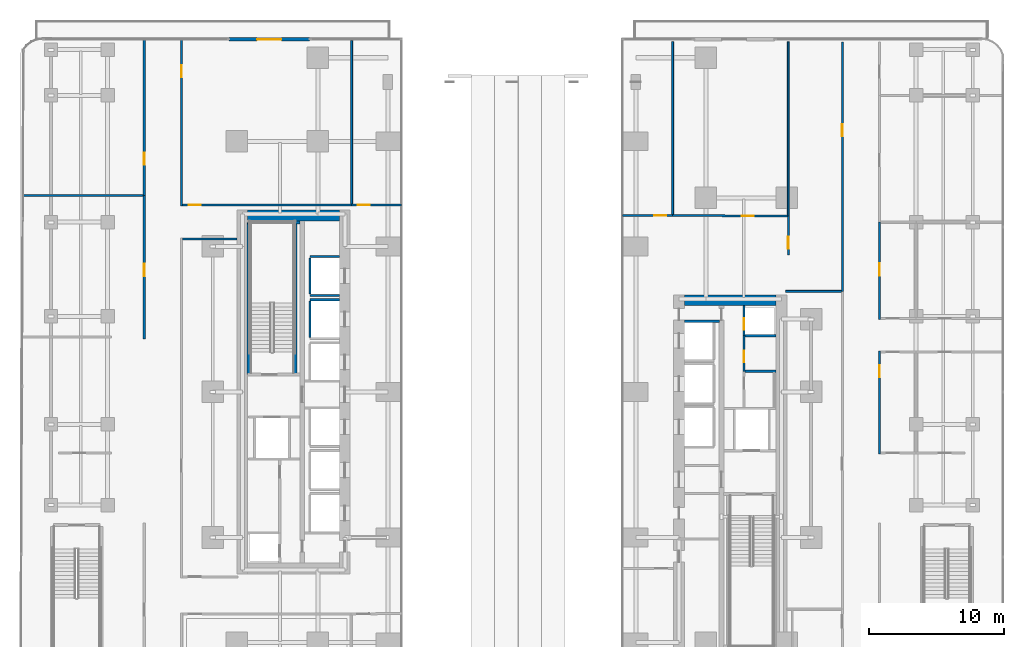
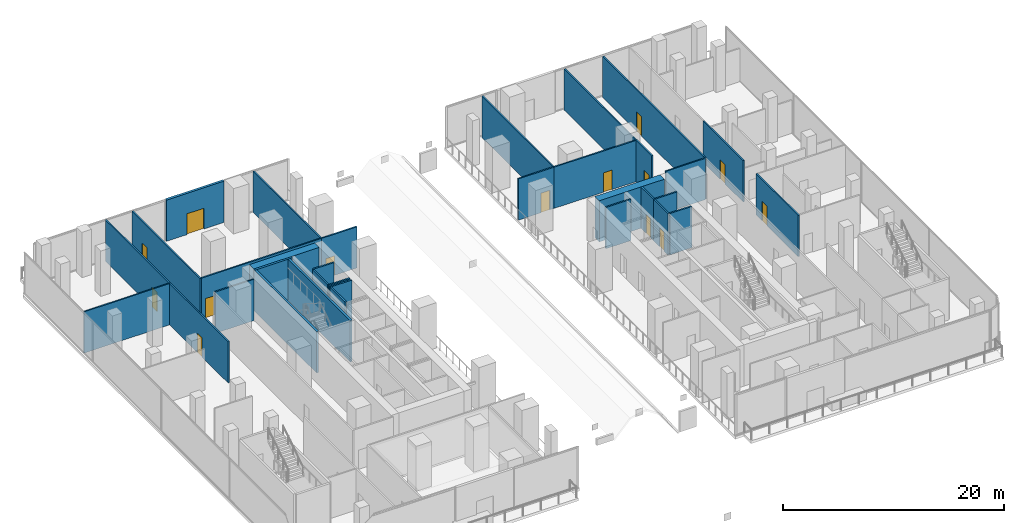
# One storey, part 13 of 32: 33 walls, 14 doors, 14 openings.
"""IFC4 building model written with IfcOpenShell, lengths in metres."""

from ifc_helpers import new_model, si_unit, direction, frame, frame_2d, origin, place, context, subcontext, project, spatial, rectangle, extrude, material, layer, layer_set, type_object, element, fill, save


model = new_model("IFC4")

# Units and contexts
model_context = context("Model", 3, precision=1e-05, world=origin(), true_north=direction((0.0, 1.0)))
body_context = subcontext(model_context, "Body", "Model", "MODEL_VIEW")
ifc_project = project(units=[si_unit("LENGTHUNIT", "METRE"), si_unit("AREAUNIT", "SQUARE_METRE"), si_unit("VOLUMEUNIT", "CUBIC_METRE"), si_unit("PLANEANGLEUNIT", "RADIAN"), si_unit("MASSUNIT", "GRAM", prefix="KILO")], contexts=[model_context])

# Site, building, storey
site_placement = place(None, origin())
site = spatial("IfcSite", under=ifc_project, at=site_placement, CompositionType="ELEMENT")
building_placement = place(site_placement, origin())
building = spatial("IfcBuilding", under=site, at=building_placement, Name="Khairoan Windgate Tower", CompositionType="ELEMENT")
storey_placement = place(building_placement, frame((0.0, 0.0, 16.0)))
storey = spatial("IfcBuildingStorey", under=building, at=storey_placement, Name="L04", CompositionType="ELEMENT", Elevation=16.0)

# Walls
ifc_material_1 = material(Name="Concrete C40/50", Category="concrete")
ifc_layer_1 = layer(ifc_material_1, 0.159912109375, Name="Concrete C40/50")
ifc_layer_set_1 = layer_set([ifc_layer_1], Name="Concrete C40/50")
wall_type_1 = type_object("IfcWallType", Name="Core and Hoistway Enclosure Wall", PredefinedType="STANDARD", material=ifc_layer_set_1)
for number, where, z_axis, x_axis, name in (
    (1, (-14.989990234375, 7.159912109375, 0.0), (0.0, 0.0, 1.0), (1.0, 0.0, 0.0), "L04 Lift PL1 Hoistway Divider S"),
    (2, (-14.989990234375, 10.0400390625, 0.0), (0.0, 0.0, 1.0), (1.0, 0.0, 0.0), "L04 Lift PL1 Hoistway Divider N"),
):
    element("IfcWall", number, at=place(storey_placement, frame(where, z_axis=z_axis, x_axis=x_axis)), inside=storey, type_object=wall_type_1, Name=name, PredefinedType="STANDARD", context=body_context, shape_type="SweptSolid", body=[
        extrude(rectangle(XDim=2.18994140625, YDim=0.159912109375, at=frame_2d((1.094970703125, 0.0))), origin(), (0.0, 0.0, 1.0), 4.550048828125),
    ])
wall_1_placement = place(storey_placement, frame((-14.989990234375, 7.25, 0.0), z_axis=(0.0, 0.0, 1.0), x_axis=(0.0, 1.0, 0.0)))
element("IfcWall", 3, at=wall_1_placement, inside=storey, type_object=wall_type_1, Name="L04 Lift PL1 Hoistway Back Wall", PredefinedType="STANDARD", context=body_context, shape_type="SweptSolid", body=[
    extrude(rectangle(XDim=2.699951171875, YDim=0.159912109375, at=frame_2d((1.35009765625, 0.0))), origin(), (0.0, 0.0, 1.0), 4.550048828125),
])
wall_2_placement = place(storey_placement, frame((-14.989990234375, 6.840087890625, 0.0), z_axis=(0.0, 0.0, 1.0), x_axis=(1.0, 0.0, 0.0)))
element("IfcWall", 4, at=wall_2_placement, inside=storey, type_object=wall_type_1, Name="L04 Lift PL2 Hoistway Divider N", PredefinedType="STANDARD", context=body_context, shape_type="SweptSolid", body=[
    extrude(rectangle(XDim=2.18994140625, YDim=0.159912109375, at=frame_2d((1.094970703125, 0.0))), origin(), (0.0, 0.0, 1.0), 4.550048828125),
])
wall_3_placement = place(storey_placement, frame((-14.989990234375, 4.050048828125, 0.0), z_axis=(0.0, 0.0, 1.0), x_axis=(0.0, 1.0, 0.0)))
element("IfcWall", 5, at=wall_3_placement, inside=storey, type_object=wall_type_1, Name="L04 Lift PL2 Hoistway Back Wall", PredefinedType="STANDARD", context=body_context, shape_type="SweptSolid", body=[
    extrude(rectangle(XDim=2.699951171875, YDim=0.159912109375, at=frame_2d((1.35009765625, 0.0))), origin(), (0.0, 0.0, 1.0), 4.550048828125),
])
wall_4_placement = place(storey_placement, frame((12.800048828125, 5.25, 0.0), z_axis=(0.0, 0.0, 1.0), x_axis=(1.0, 0.0, 0.0)))
element("IfcWall", 6, at=wall_4_placement, inside=storey, type_object=wall_type_1, Name="L04 Core Shaft Wall SW-ESV-L04", PredefinedType="STANDARD", context=body_context, shape_type="SweptSolid", body=[
    extrude(rectangle(XDim=2.599853515625, YDim=0.159912109375, at=frame_2d((1.2998046875, 0.0))), origin(), (0.0, 0.0, 1.0), 4.550048828125),
])

# Wall, opening, door
ifc_material_2 = material(Name="Precast Concrete C40/50", Category="concrete")
ifc_layer_2 = layer(ifc_material_2, 0.260009765625, Name="Precast Concrete C40/50")
ifc_layer_set_2 = layer_set([ifc_layer_2], Name="Precast Concrete C40/50")
wall_type_2 = type_object("IfcWallType", Name="Insulated Tower Facade Wall EW2 260mm", PredefinedType="STANDARD", material=ifc_layer_set_2)
wall_5_placement = place(storey_placement, frame((-21.0, 26.159912109375, 0.0), z_axis=(0.0, 0.0, 1.0), x_axis=(1.0, 0.0, 0.0)))
wall_5 = element("IfcWall", 7, at=wall_5_placement, inside=storey, type_object=wall_type_2, Name="L04 North-West Terrace Access Wall", PredefinedType="STANDARD", context=body_context, shape_type="SweptSolid", body=[
    extrude(rectangle(XDim=6.0, YDim=0.260009765625, at=frame_2d((3.0, 0.0))), origin(), (0.0, 0.0, 1.0), 4.550048828125),
])
opening_1_placement = place(wall_5_placement, frame((2.10009765625, 0.0, 0.0)))
opening_1 = element("IfcOpeningElement", 8, at=opening_1_placement, cuts=wall_5, Name="Opening TD1", PredefinedType="OPENING", context=body_context, shape_type="SweptSolid", body=[
    extrude(rectangle(XDim=1.800048828125, YDim=2.300048828125, at=frame_2d((0.89990234375, 1.14990234375))), frame((0.0, 0.139892578125, 0.0), z_axis=(0.0, -1.0, 0.0), x_axis=(1.0, 0.0, 0.0)), (0.0, 0.0, 1.0), 0.280029296875),
])
ifc_material_3 = material(Name="Anodised Bronze Aluminium 6063-T6", Category="aluminium")
door_type_1 = type_object("IfcDoorType", Name="Glazed Double Terrace Door TD-1800", OperationType="DOUBLE_DOOR_SINGLE_SWING", PredefinedType="DOOR", material=ifc_material_3)
door_1_placement = place(opening_1_placement, origin())
door_1 = element("IfcDoor", 9, at=door_1_placement, inside=storey, type_object=door_type_1, Name="L04 North-West Sky Terrace Door", OperationType="DOUBLE_DOOR_SINGLE_SWING", OverallHeight=2.300048828125, OverallWidth=1.800048828125, PredefinedType="DOOR", context=body_context, shape_type="SweptSolid", body=[
    extrude(rectangle(XDim=1.800048828125, YDim=2.300048828125, at=frame_2d((0.89990234375, 1.14990234375))), frame((0.0, 0.02490234375, 0.0), z_axis=(0.0, -1.0, 0.0), x_axis=(1.0, 0.0, 0.0)), (0.0, 0.0, 1.0), 0.050048828125),
])
fill(opening_1, door_1)

# Walls
ifc_material_4 = material(Name="Acoustic Fire-Rated Gypsum Partition", Category="gypsum")
ifc_layer_3 = layer(ifc_material_4, 0.139892578125, Name="Acoustic Fire-Rated Gypsum Partition")
ifc_layer_set_3 = layer_set([ifc_layer_3], Name="Acoustic Fire-Rated Gypsum Partition")
wall_type_3 = type_object("IfcWallType", Name="Inter-Tenancy Compartment Wall", PredefinedType="PARTITIONING", material=ifc_layer_set_3)
wall_6_placement = place(storey_placement, frame((-36.270751953125, 14.580078125, 0.0), z_axis=(0.0, 0.0, 1.0), x_axis=(1.0, 0.0, 0.0)))
element("IfcWall", 10, at=wall_6_placement, inside=storey, type_object=wall_type_3, Name="L04 Interior Partition 028", PredefinedType="PARTITIONING", context=body_context, shape_type="SweptSolid", body=[
    extrude(rectangle(XDim=8.915771484375, YDim=0.139892578125, at=frame_2d((4.4580078125, 0.0))), origin(), (0.0, 0.0, 1.0), 4.550048828125),
])
wall_7_placement = place(storey_placement, frame((20.510009765625, 13.0400390625, 0.0), z_axis=(0.0, 0.0, 1.0), x_axis=(0.0, 1.0, 0.0)))
element("IfcWall", 11, at=wall_7_placement, inside=storey, type_object=wall_type_3, Name="L04 Interior Partition 037", PredefinedType="PARTITIONING", context=body_context, shape_type="SweptSolid", body=[
    extrude(rectangle(XDim=12.930419921875, YDim=0.139892578125, at=frame_2d((6.46533203125, 0.0))), origin(), (0.0, 0.0, 1.0), 4.550048828125),
])
wall_8_placement = place(storey_placement, frame((20.31005859375, 7.4599609375, 0.0), z_axis=(0.0, 0.0, 1.0), x_axis=(1.0, 0.0, 0.0)))
element("IfcWall", 12, at=wall_8_placement, inside=storey, type_object=wall_type_3, Name="L04 Interior Partition 038", PredefinedType="PARTITIONING", context=body_context, shape_type="SweptSolid", body=[
    extrude(rectangle(XDim=4.135009765625, YDim=0.139892578125, at=frame_2d((2.0673828125, 0.0))), origin(), (0.0, 0.0, 1.0), 4.550048828125),
])
wall_9_placement = place(storey_placement, frame((11.925048828125, 13.175048828125, 0.0), z_axis=(0.0, 0.0, 1.0), x_axis=(0.0, 1.0, 0.0)))
element("IfcWall", 13, at=wall_9_placement, inside=storey, type_object=wall_type_3, Name="L04 Interior Partition 059", PredefinedType="PARTITIONING", context=body_context, shape_type="SweptSolid", body=[
    extrude(rectangle(XDim=12.822509765625, YDim=0.139892578125, at=frame_2d((6.4111328125, 0.0))), origin(), (0.0, 0.0, 1.0), 4.550048828125),
])
wall_10_placement = place(storey_placement, frame((-11.889892578125, 13.955078125, 0.0), z_axis=(0.0, 0.0, 1.0), x_axis=(0.0, 1.0, 0.0)))
element("IfcWall", 14, at=wall_10_placement, inside=storey, type_object=wall_type_3, Name="L04 Interior Partition 065", PredefinedType="PARTITIONING", context=body_context, shape_type="SweptSolid", body=[
    extrude(rectangle(XDim=12.11767578125, YDim=0.139892578125, at=frame_2d((6.058837890625, 0.0))), origin(), (0.0, 0.0, 1.0), 4.550048828125),
])

# Wall, opening, door
ifc_material_5 = material(Name="Concrete C40/50", Category="concrete")
ifc_layer_4 = layer(ifc_material_5, 0.159912109375, Name="Concrete C40/50")
ifc_layer_set_4 = layer_set([ifc_layer_4], Name="Concrete C40/50")
wall_type_4 = type_object("IfcWallType", Name="Plant and Refuge Compartment Wall", PredefinedType="PARTITIONING", material=ifc_layer_set_4)
wall_11_placement = place(storey_placement, frame((17.22998046875, 4.169921875, 0.0), z_axis=(0.0, 0.0, 1.0), x_axis=(0.0, 1.0, 0.0)))
wall_11 = element("IfcWall", 15, at=wall_11_placement, inside=storey, type_object=wall_type_4, Name="L04 Interior Partition 004", PredefinedType="PARTITIONING", context=body_context, shape_type="SweptSolid", body=[
    extrude(rectangle(XDim=2.22998046875, YDim=0.159912109375, at=frame_2d((1.114990234375, 0.0))), origin(), (0.0, 0.0, 1.0), 4.550048828125),
])
opening_2_placement = place(wall_11_placement, frame((0.4599609375, 0.0, 0.0)))
opening_2 = element("IfcOpeningElement", 16, at=opening_2_placement, cuts=wall_11, Name="Opening FD-SRV", PredefinedType="OPENING", context=body_context, shape_type="SweptSolid", body=[
    extrude(rectangle(XDim=0.85009765625, YDim=2.10009765625, at=frame_2d((0.425048828125, 1.050048828125))), frame((0.0, 0.08984375, 0.0), z_axis=(0.0, -1.0, 0.0), x_axis=(1.0, 0.0, 0.0)), (0.0, 0.0, 1.0), 0.179931640625),
])
ifc_material_6 = material(Name="Steel S355", Category="steel")
door_type_2 = type_object("IfcDoorType", Name="Core Service and Riser Fire Door FD-SRV 850x2100", OperationType="NOTDEFINED", PredefinedType="DOOR", material=ifc_material_6)
door_2_placement = place(opening_2_placement, origin())
door_2 = element("IfcDoor", 17, at=door_2_placement, inside=storey, type_object=door_type_2, Name="L04 L04-18-L04-19 Door", OperationType="SINGLE_SWING_RIGHT", OverallHeight=2.10009765625, OverallWidth=0.85009765625, PredefinedType="DOOR", context=body_context, shape_type="SweptSolid", body=[
    extrude(rectangle(XDim=0.85009765625, YDim=2.10009765625, at=frame_2d((0.425048828125, 1.050048828125))), frame((0.0, 0.02490234375, 0.0), z_axis=(0.0, -1.0, 0.0), x_axis=(1.0, 0.0, 0.0)), (0.0, 0.0, 1.0), 0.050048828125),
])
fill(opening_2, door_2)

wall_12_placement = place(storey_placement, frame((17.22998046875, 1.530029296875, 0.0), z_axis=(0.0, 0.0, 1.0), x_axis=(0.0, 1.0, 0.0)))
wall_12 = element("IfcWall", 18, at=wall_12_placement, inside=storey, type_object=wall_type_4, Name="L04 Interior Partition 006", PredefinedType="PARTITIONING", context=body_context, shape_type="SweptSolid", body=[
    extrude(rectangle(XDim=2.639892578125, YDim=0.159912109375, at=frame_2d((1.31982421875, 0.0))), origin(), (0.0, 0.0, 1.0), 4.550048828125),
])
opening_3_placement = place(wall_12_placement, frame((0.677490234375, 0.0, 0.0)))
opening_3 = element("IfcOpeningElement", 19, at=opening_3_placement, cuts=wall_12, Name="Opening FD-SRV", PredefinedType="OPENING", context=body_context, shape_type="SweptSolid", body=[
    extrude(rectangle(XDim=0.85009765625, YDim=2.10009765625, at=frame_2d((0.425048828125, 1.050048828125))), frame((0.0, 0.08984375, 0.0), z_axis=(0.0, -1.0, 0.0), x_axis=(1.0, 0.0, 0.0)), (0.0, 0.0, 1.0), 0.179931640625),
])
door_3_placement = place(opening_3_placement, origin())
door_3 = element("IfcDoor", 20, at=door_3_placement, inside=storey, type_object=door_type_2, Name="L04 L04-18-L04-21 Door", OperationType="SINGLE_SWING_RIGHT", OverallHeight=2.10009765625, OverallWidth=0.85009765625, PredefinedType="DOOR", context=body_context, shape_type="SweptSolid", body=[
    extrude(rectangle(XDim=0.85009765625, YDim=2.10009765625, at=frame_2d((0.425048828125, 1.050048828125))), frame((0.0, 0.02490234375, 0.0), z_axis=(0.0, -1.0, 0.0), x_axis=(1.0, 0.0, 0.0)), (0.0, 0.0, 1.0), 0.050048828125),
])
fill(opening_3, door_3)

# Walls
for number, where, z_axis, x_axis, name in (
    (21, (17.31005859375, 4.169921875, 0.0), (0.0, 0.0, 1.0), (1.0, 0.0, 0.0), "L04 Interior Partition 007"),
    (22, (17.31005859375, 1.530029296875, 0.0), (0.0, 0.0, 1.0), (1.0, 0.0, 0.0), "L04 Interior Partition 008"),
):
    element("IfcWall", number, at=place(storey_placement, frame(where, z_axis=z_axis, x_axis=x_axis)), inside=storey, type_object=wall_type_4, Name=name, PredefinedType="PARTITIONING", context=body_context, shape_type="SweptSolid", body=[
        extrude(rectangle(XDim=2.2900390625, YDim=0.159912109375, at=frame_2d((1.14501953125, 0.0))), origin(), (0.0, 0.0, 1.0), 4.550048828125),
    ])

# Wall, opening, door
ifc_material_7 = material(Name="Acoustic Fire-Rated Gypsum Partition", Category="gypsum")
ifc_layer_5 = layer(ifc_material_7, 0.14990234375, Name="Acoustic Fire-Rated Gypsum Partition")
ifc_layer_set_5 = layer_set([ifc_layer_5], Name="Acoustic Fire-Rated Gypsum Partition")
wall_type_5 = type_object("IfcWallType", Name="Rated Corridor Partition Wall", PredefinedType="PARTITIONING", material=ifc_layer_set_5)
wall_13_placement = place(storey_placement, frame((-27.280029296875, 14.580078125, 0.0), z_axis=(0.0, 0.0, 1.0), x_axis=(0.0, 1.0, 0.0)))
wall_13 = element("IfcWall", 23, at=wall_13_placement, inside=storey, type_object=wall_type_5, Name="L04 Interior Partition 011", PredefinedType="PARTITIONING", context=body_context, shape_type="SweptSolid", body=[
    extrude(rectangle(XDim=11.541259765625, YDim=0.14990234375, at=frame_2d((5.7705078125, 0.0))), origin(), (0.0, 0.0, 1.0), 4.550048828125),
])
opening_4_placement = place(wall_13_placement, frame((2.28271484375, 0.0, 0.0)))
opening_4 = element("IfcOpeningElement", 24, at=opening_4_placement, cuts=wall_13, Name="Opening FD-ENT", PredefinedType="OPENING", context=body_context, shape_type="SweptSolid", body=[
    extrude(rectangle(XDim=0.89990234375, YDim=2.14990234375, at=frame_2d((0.449951171875, 1.074951171875))), frame((0.0, 0.0849609375, 0.0), z_axis=(0.0, -1.0, 0.0), x_axis=(1.0, 0.0, 0.0)), (0.0, 0.0, 1.0), 0.169921875),
])
ifc_material_8 = material(Name="Timber Fire-Rated Core", Category="wood")
door_type_3 = type_object("IfcDoorType", Name="Unit and Office Fire Entrance Door FD-ENT 900x2150", OperationType="NOTDEFINED", PredefinedType="DOOR", material=ifc_material_8)
door_4_placement = place(opening_4_placement, origin())
door_4 = element("IfcDoor", 25, at=door_4_placement, inside=storey, type_object=door_type_3, Name="L04 L04-30-L04-37 Door", OperationType="SINGLE_SWING_RIGHT", OverallHeight=2.14990234375, OverallWidth=0.89990234375, PredefinedType="DOOR", context=body_context, shape_type="SweptSolid", body=[
    extrude(rectangle(XDim=0.89990234375, YDim=2.14990234375, at=frame_2d((0.449951171875, 1.074951171875))), frame((0.0, 0.02490234375, 0.0), z_axis=(0.0, -1.0, 0.0), x_axis=(1.0, 0.0, 0.0)), (0.0, 0.0, 1.0), 0.050048828125),
])
fill(opening_4, door_4)

wall_14_placement = place(storey_placement, frame((-27.280029296875, 3.919921875, 0.0), z_axis=(0.0, 0.0, 1.0), x_axis=(0.0, 1.0, 0.0)))
wall_14 = element("IfcWall", 26, at=wall_14_placement, inside=storey, type_object=wall_type_5, Name="L04 Interior Partition 012", PredefinedType="PARTITIONING", context=body_context, shape_type="SweptSolid", body=[
    extrude(rectangle(XDim=10.66015625, YDim=0.14990234375, at=frame_2d((5.330078125, 0.0))), origin(), (0.0, 0.0, 1.0), 4.550048828125),
])
opening_5_placement = place(wall_14_placement, frame((4.67919921875, 0.0, 0.0)))
opening_5 = element("IfcOpeningElement", 27, at=opening_5_placement, cuts=wall_14, Name="Opening FD-ENT", PredefinedType="OPENING", context=body_context, shape_type="SweptSolid", body=[
    extrude(rectangle(XDim=0.89990234375, YDim=2.14990234375, at=frame_2d((0.449951171875, 1.074951171875))), frame((0.0, 0.0849609375, 0.0), z_axis=(0.0, -1.0, 0.0), x_axis=(1.0, 0.0, 0.0)), (0.0, 0.0, 1.0), 0.169921875),
])
door_5_placement = place(opening_5_placement, origin())
door_5 = element("IfcDoor", 28, at=door_5_placement, inside=storey, type_object=door_type_3, Name="L04 L04-30-L04-39 Door", OperationType="SINGLE_SWING_LEFT", OverallHeight=2.14990234375, OverallWidth=0.89990234375, PredefinedType="DOOR", context=body_context, shape_type="SweptSolid", body=[
    extrude(rectangle(XDim=0.89990234375, YDim=2.14990234375, at=frame_2d((0.449951171875, 1.074951171875))), frame((0.0, 0.02490234375, 0.0), z_axis=(0.0, -1.0, 0.0), x_axis=(1.0, 0.0, 0.0)), (0.0, 0.0, 1.0), 0.050048828125),
])
fill(opening_5, door_5)

wall_15_placement = place(storey_placement, frame((-24.52001953125, 13.804931640625, 0.0), z_axis=(0.0, 0.0, 1.0), x_axis=(0.0, 1.0, 0.0)))
wall_15 = element("IfcWall", 29, at=wall_15_placement, inside=storey, type_object=wall_type_5, Name="L04 Interior Partition 016", PredefinedType="PARTITIONING", context=body_context, shape_type="SweptSolid", body=[
    extrude(rectangle(XDim=12.3076171875, YDim=0.14990234375, at=frame_2d((6.15380859375, 0.0))), origin(), (0.0, 0.0, 1.0), 4.550048828125),
])
opening_6_placement = place(wall_15_placement, frame((9.535888671875, 0.0, 0.0)))
opening_6 = element("IfcOpeningElement", 30, at=opening_6_placement, cuts=wall_15, Name="Opening FD-ENT", PredefinedType="OPENING", context=body_context, shape_type="SweptSolid", body=[
    extrude(rectangle(XDim=0.89990234375, YDim=2.14990234375, at=frame_2d((0.449951171875, 1.074951171875))), frame((0.0, 0.0849609375, 0.0), z_axis=(0.0, -1.0, 0.0), x_axis=(1.0, 0.0, 0.0)), (0.0, 0.0, 1.0), 0.169921875),
])
door_6_placement = place(opening_6_placement, origin())
door_6 = element("IfcDoor", 31, at=door_6_placement, inside=storey, type_object=door_type_3, Name="L04 L04-30-L04-68 Door", OperationType="SINGLE_SWING_LEFT", OverallHeight=2.14990234375, OverallWidth=0.89990234375, PredefinedType="DOOR", context=body_context, shape_type="SweptSolid", body=[
    extrude(rectangle(XDim=0.89990234375, YDim=2.14990234375, at=frame_2d((0.449951171875, 1.074951171875))), frame((0.0, 0.02490234375, 0.0), z_axis=(0.0, -1.0, 0.0), x_axis=(1.0, 0.0, 0.0)), (0.0, 0.0, 1.0), 0.050048828125),
])
fill(opening_6, door_6)

# Wall
wall_16_placement = place(storey_placement, frame((-24.445068359375, 11.360107421875, 0.0), z_axis=(0.0, 0.0, 1.0), x_axis=(1.0, 0.0, 0.0)))
element("IfcWall", 32, at=wall_16_placement, inside=storey, type_object=wall_type_5, Name="L04 Interior Partition 020", PredefinedType="PARTITIONING", context=body_context, shape_type="SweptSolid", body=[
    extrude(rectangle(XDim=4.045166015625, YDim=0.14990234375, at=frame_2d((2.0224609375, 0.0))), origin(), (0.0, 0.0, 1.0), 4.550048828125),
])

# Wall, opening, door
wall_17_placement = place(storey_placement, frame((-11.889892578125, 13.8798828125, 0.0), z_axis=(0.0, 0.0, 1.0), x_axis=(1.0, 0.0, 0.0)))
wall_17 = element("IfcWall", 33, at=wall_17_placement, inside=storey, type_object=wall_type_5, Name="L04 Interior Partition 021", PredefinedType="PARTITIONING", context=body_context, shape_type="SweptSolid", body=[
    extrude(rectangle(XDim=3.684814453125, YDim=0.14990234375, at=frame_2d((1.84228515625, 0.0))), origin(), (0.0, 0.0, 1.0), 4.550048828125),
])
opening_7_placement = place(wall_17_placement, frame((0.4599609375, 0.0, 0.0)))
opening_7 = element("IfcOpeningElement", 34, at=opening_7_placement, cuts=wall_17, Name="Opening FD-ENT", PredefinedType="OPENING", context=body_context, shape_type="SweptSolid", body=[
    extrude(rectangle(XDim=0.89990234375, YDim=2.14990234375, at=frame_2d((0.449951171875, 1.074951171875))), frame((0.0, 0.0849609375, 0.0), z_axis=(0.0, -1.0, 0.0), x_axis=(1.0, 0.0, 0.0)), (0.0, 0.0, 1.0), 0.169921875),
])
door_7_placement = place(opening_7_placement, origin())
door_7 = element("IfcDoor", 35, at=door_7_placement, inside=storey, type_object=door_type_3, Name="L04 L04-32-L04-64 Door", OperationType="SINGLE_SWING_RIGHT", OverallHeight=2.14990234375, OverallWidth=0.89990234375, PredefinedType="DOOR", context=body_context, shape_type="SweptSolid", body=[
    extrude(rectangle(XDim=0.89990234375, YDim=2.14990234375, at=frame_2d((0.449951171875, 1.074951171875))), frame((0.0, 0.02490234375, 0.0), z_axis=(0.0, -1.0, 0.0), x_axis=(1.0, 0.0, 0.0)), (0.0, 0.0, 1.0), 0.050048828125),
])
fill(opening_7, door_7)

wall_18_placement = place(storey_placement, frame((-24.445068359375, 13.8798828125, 0.0), z_axis=(0.0, 0.0, 1.0), x_axis=(1.0, 0.0, 0.0)))
wall_18 = element("IfcWall", 36, at=wall_18_placement, inside=storey, type_object=wall_type_5, Name="L04 Interior Partition 022", PredefinedType="PARTITIONING", context=body_context, shape_type="SweptSolid", body=[
    extrude(rectangle(XDim=12.55517578125, YDim=0.14990234375, at=frame_2d((6.277587890625, 0.0))), origin(), (0.0, 0.0, 1.0), 4.550048828125),
])
opening_8_placement = place(wall_18_placement, frame((0.4599609375, 0.0, 0.0)))
opening_8 = element("IfcOpeningElement", 37, at=opening_8_placement, cuts=wall_18, Name="Opening FD-ENT", PredefinedType="OPENING", context=body_context, shape_type="SweptSolid", body=[
    extrude(rectangle(XDim=0.89990234375, YDim=2.14990234375, at=frame_2d((0.449951171875, 1.074951171875))), frame((0.0, 0.0849609375, 0.0), z_axis=(0.0, -1.0, 0.0), x_axis=(1.0, 0.0, 0.0)), (0.0, 0.0, 1.0), 0.169921875),
])
door_8_placement = place(opening_8_placement, origin())
door_8 = element("IfcDoor", 38, at=door_8_placement, inside=storey, type_object=door_type_3, Name="L04 L04-32-L04-68 Door", OperationType="SINGLE_SWING_LEFT", OverallHeight=2.14990234375, OverallWidth=0.89990234375, PredefinedType="DOOR", context=body_context, shape_type="SweptSolid", body=[
    extrude(rectangle(XDim=0.89990234375, YDim=2.14990234375, at=frame_2d((0.449951171875, 1.074951171875))), frame((0.0, 0.02490234375, 0.0), z_axis=(0.0, -1.0, 0.0), x_axis=(1.0, 0.0, 0.0)), (0.0, 0.0, 1.0), 0.050048828125),
])
fill(opening_8, door_8)

wall_19_placement = place(storey_placement, frame((24.52001953125, 7.4599609375, 0.0), z_axis=(0.0, 0.0, 1.0), x_axis=(0.0, 1.0, 0.0)))
wall_19 = element("IfcWall", 39, at=wall_19_placement, inside=storey, type_object=wall_type_5, Name="L04 Interior Partition 035", PredefinedType="PARTITIONING", context=body_context, shape_type="SweptSolid", body=[
    extrude(rectangle(XDim=18.497802734375, YDim=0.14990234375, at=frame_2d((9.2490234375, 0.0))), origin(), (0.0, 0.0, 1.0), 4.550048828125),
])
opening_9_placement = place(wall_19_placement, frame((11.51171875, 0.0, 0.0)))
opening_9 = element("IfcOpeningElement", 40, at=opening_9_placement, cuts=wall_19, Name="Opening FD-ENT", PredefinedType="OPENING", context=body_context, shape_type="SweptSolid", body=[
    extrude(rectangle(XDim=0.89990234375, YDim=2.14990234375, at=frame_2d((0.449951171875, 1.074951171875))), frame((0.0, 0.0849609375, 0.0), z_axis=(0.0, -1.0, 0.0), x_axis=(1.0, 0.0, 0.0)), (0.0, 0.0, 1.0), 0.169921875),
])
door_9_placement = place(opening_9_placement, origin())
door_9 = element("IfcDoor", 41, at=door_9_placement, inside=storey, type_object=door_type_3, Name="L04 L04-42-L04-45 Door", OperationType="SINGLE_SWING_RIGHT", OverallHeight=2.14990234375, OverallWidth=0.89990234375, PredefinedType="DOOR", context=body_context, shape_type="SweptSolid", body=[
    extrude(rectangle(XDim=0.89990234375, YDim=2.14990234375, at=frame_2d((0.449951171875, 1.074951171875))), frame((0.0, 0.02490234375, 0.0), z_axis=(0.0, -1.0, 0.0), x_axis=(1.0, 0.0, 0.0)), (0.0, 0.0, 1.0), 0.050048828125),
])
fill(opening_9, door_9)

wall_20_placement = place(storey_placement, frame((20.510009765625, 10.159912109375, 0.0), z_axis=(0.0, 0.0, 1.0), x_axis=(0.0, 1.0, 0.0)))
wall_20 = element("IfcWall", 42, at=wall_20_placement, inside=storey, type_object=wall_type_5, Name="L04 Interior Partition 036", PredefinedType="PARTITIONING", context=body_context, shape_type="SweptSolid", body=[
    extrude(rectangle(XDim=2.880126953125, YDim=0.14990234375, at=frame_2d((1.43994140625, 0.0))), origin(), (0.0, 0.0, 1.0), 4.550048828125),
])
opening_10_placement = place(wall_20_placement, frame((0.4599609375, 0.0, 0.0)))
opening_10 = element("IfcOpeningElement", 43, at=opening_10_placement, cuts=wall_20, Name="Opening FD-ENT", PredefinedType="OPENING", context=body_context, shape_type="SweptSolid", body=[
    extrude(rectangle(XDim=0.89990234375, YDim=2.14990234375, at=frame_2d((0.449951171875, 1.074951171875))), frame((0.0, 0.0849609375, 0.0), z_axis=(0.0, -1.0, 0.0), x_axis=(1.0, 0.0, 0.0)), (0.0, 0.0, 1.0), 0.169921875),
])
door_10_placement = place(opening_10_placement, origin())
door_10 = element("IfcDoor", 44, at=door_10_placement, inside=storey, type_object=door_type_3, Name="L04 L04-42-L04-47 Door", OperationType="SINGLE_SWING_LEFT", OverallHeight=2.14990234375, OverallWidth=0.89990234375, PredefinedType="DOOR", context=body_context, shape_type="SweptSolid", body=[
    extrude(rectangle(XDim=0.89990234375, YDim=2.14990234375, at=frame_2d((0.449951171875, 1.074951171875))), frame((0.0, 0.02490234375, 0.0), z_axis=(0.0, -1.0, 0.0), x_axis=(1.0, 0.0, 0.0)), (0.0, 0.0, 1.0), 0.050048828125),
])
fill(opening_10, door_10)

wall_21_placement = place(storey_placement, frame((8.205078125, 13.10009765625, 0.0), z_axis=(0.0, 0.0, 1.0), x_axis=(1.0, 0.0, 0.0)))
wall_21 = element("IfcWall", 45, at=wall_21_placement, inside=storey, type_object=wall_type_5, Name="L04 Interior Partition 040", PredefinedType="PARTITIONING", context=body_context, shape_type="SweptSolid", body=[
    extrude(rectangle(XDim=3.719970703125, YDim=0.14990234375, at=frame_2d((1.85986328125, 0.0))), origin(), (0.0, 0.0, 1.0), 4.550048828125),
])
opening_11_placement = place(wall_21_placement, frame((2.360107421875, 0.0, 0.0)))
opening_11 = element("IfcOpeningElement", 46, at=opening_11_placement, cuts=wall_21, Name="Opening FD-ENT", PredefinedType="OPENING", context=body_context, shape_type="SweptSolid", body=[
    extrude(rectangle(XDim=0.89990234375, YDim=2.14990234375, at=frame_2d((0.449951171875, 1.074951171875))), frame((0.0, 0.0849609375, 0.0), z_axis=(0.0, -1.0, 0.0), x_axis=(1.0, 0.0, 0.0)), (0.0, 0.0, 1.0), 0.169921875),
])
door_11_placement = place(opening_11_placement, origin())
door_11 = element("IfcDoor", 47, at=door_11_placement, inside=storey, type_object=door_type_3, Name="L04 L04-44-L04-66 Door", OperationType="SINGLE_SWING_LEFT", OverallHeight=2.14990234375, OverallWidth=0.89990234375, PredefinedType="DOOR", context=body_context, shape_type="SweptSolid", body=[
    extrude(rectangle(XDim=0.89990234375, YDim=2.14990234375, at=frame_2d((0.449951171875, 1.074951171875))), frame((0.0, 0.02490234375, 0.0), z_axis=(0.0, -1.0, 0.0), x_axis=(1.0, 0.0, 0.0)), (0.0, 0.0, 1.0), 0.050048828125),
])
fill(opening_11, door_11)

wall_22_placement = place(storey_placement, frame((27.280029296875, -4.594970703125, 0.0), z_axis=(0.0, 0.0, 1.0), x_axis=(0.0, 1.0, 0.0)))
wall_22 = element("IfcWall", 48, at=wall_22_placement, inside=storey, type_object=wall_type_5, Name="L04 Interior Partition 042", PredefinedType="PARTITIONING", context=body_context, shape_type="SweptSolid", body=[
    extrude(rectangle(XDim=7.6298828125, YDim=0.14990234375, at=frame_2d((3.81494140625, 0.0))), origin(), (0.0, 0.0, 1.0), 4.550048828125),
])
opening_12_placement = place(wall_22_placement, frame((5.6689453125, 0.0, 0.0)))
opening_12 = element("IfcOpeningElement", 49, at=opening_12_placement, cuts=wall_22, Name="Opening FD-ENT", PredefinedType="OPENING", context=body_context, shape_type="SweptSolid", body=[
    extrude(rectangle(XDim=0.89990234375, YDim=2.14990234375, at=frame_2d((0.449951171875, 1.074951171875))), frame((0.0, 0.0849609375, 0.0), z_axis=(0.0, -1.0, 0.0), x_axis=(1.0, 0.0, 0.0)), (0.0, 0.0, 1.0), 0.169921875),
])
door_12_placement = place(opening_12_placement, origin())
door_12 = element("IfcDoor", 50, at=door_12_placement, inside=storey, type_object=door_type_3, Name="L04 L04-45-L04-53 Door", OperationType="SINGLE_SWING_LEFT", OverallHeight=2.14990234375, OverallWidth=0.89990234375, PredefinedType="DOOR", context=body_context, shape_type="SweptSolid", body=[
    extrude(rectangle(XDim=0.89990234375, YDim=2.14990234375, at=frame_2d((0.449951171875, 1.074951171875))), frame((0.0, 0.02490234375, 0.0), z_axis=(0.0, -1.0, 0.0), x_axis=(1.0, 0.0, 0.0)), (0.0, 0.0, 1.0), 0.050048828125),
])
fill(opening_12, door_12)

wall_23_placement = place(storey_placement, frame((27.280029296875, 5.364990234375, 0.0), z_axis=(0.0, 0.0, 1.0), x_axis=(0.0, 1.0, 0.0)))
wall_23 = element("IfcWall", 51, at=wall_23_placement, inside=storey, type_object=wall_type_5, Name="L04 Interior Partition 043", PredefinedType="PARTITIONING", context=body_context, shape_type="SweptSolid", body=[
    extrude(rectangle(XDim=7.235107421875, YDim=0.14990234375, at=frame_2d((3.61767578125, 0.0))), origin(), (0.0, 0.0, 1.0), 4.550048828125),
])
opening_13_placement = place(wall_23_placement, frame((3.267822265625, 0.0, 0.0)))
opening_13 = element("IfcOpeningElement", 52, at=opening_13_placement, cuts=wall_23, Name="Opening FD-ENT", PredefinedType="OPENING", context=body_context, shape_type="SweptSolid", body=[
    extrude(rectangle(XDim=0.89990234375, YDim=2.14990234375, at=frame_2d((0.449951171875, 1.074951171875))), frame((0.0, 0.0849609375, 0.0), z_axis=(0.0, -1.0, 0.0), x_axis=(1.0, 0.0, 0.0)), (0.0, 0.0, 1.0), 0.169921875),
])
door_13_placement = place(opening_13_placement, origin())
door_13 = element("IfcDoor", 53, at=door_13_placement, inside=storey, type_object=door_type_3, Name="L04 L04-45-L04-55 Door", OperationType="SINGLE_SWING_RIGHT", OverallHeight=2.14990234375, OverallWidth=0.89990234375, PredefinedType="DOOR", context=body_context, shape_type="SweptSolid", body=[
    extrude(rectangle(XDim=0.89990234375, YDim=2.14990234375, at=frame_2d((0.449951171875, 1.074951171875))), frame((0.0, 0.02490234375, 0.0), z_axis=(0.0, -1.0, 0.0), x_axis=(1.0, 0.0, 0.0)), (0.0, 0.0, 1.0), 0.050048828125),
])
fill(opening_13, door_13)

wall_24_placement = place(storey_placement, frame((11.925048828125, 13.10009765625, 0.0), z_axis=(0.0, 0.0, 1.0), x_axis=(0.999976690727, -0.006827737682, 0.0)))
wall_24 = element("IfcWall", 54, at=wall_24_placement, inside=storey, type_object=wall_type_5, Name="L04 Interior Partition 053", PredefinedType="PARTITIONING", context=body_context, shape_type="SweptSolid", body=[
    extrude(rectangle(XDim=8.51025390625, YDim=0.14990234375, at=frame_2d((4.255126953125, 0.0))), origin(), (0.0, 0.0, 1.0), 4.550048828125),
])
opening_14_placement = place(wall_24_placement, frame((5.122802734375, 0.0, 0.0)))
opening_14 = element("IfcOpeningElement", 55, at=opening_14_placement, cuts=wall_24, Name="Opening FD-ENT", PredefinedType="OPENING", context=body_context, shape_type="SweptSolid", body=[
    extrude(rectangle(XDim=0.89990234375, YDim=2.14990234375, at=frame_2d((0.449951171875, 1.074951171875))), frame((0.0, 0.0849609375, 0.0), z_axis=(0.0, -1.0, 0.0), x_axis=(1.0, 0.0, 0.0)), (0.0, 0.0, 1.0), 0.169921875),
])
door_14_placement = place(opening_14_placement, origin())
door_14 = element("IfcDoor", 56, at=door_14_placement, inside=storey, type_object=door_type_3, Name="L04 L04-47-L04-51 Door", OperationType="SINGLE_SWING_RIGHT", OverallHeight=2.14990234375, OverallWidth=0.89990234375, PredefinedType="DOOR", context=body_context, shape_type="SweptSolid", body=[
    extrude(rectangle(XDim=0.89990234375, YDim=2.14990234375, at=frame_2d((0.449951171875, 1.074951171875))), frame((0.0, 0.02490234375, 0.0), z_axis=(0.0, -1.0, 0.0), x_axis=(1.0, 0.0, 0.0)), (0.0, 0.0, 1.0), 0.050048828125),
])
fill(opening_14, door_14)

# Walls
ifc_material_9 = material(Name="Concrete C70/85", Category="concrete")
ifc_layer_6 = layer(ifc_material_9, 0.800048828125, Name="Concrete C70/85")
ifc_layer_set_6 = layer_set([ifc_layer_6], Name="Concrete C70/85")
wall_type_6 = type_object("IfcWallType", Name="Shear Wall CW-E1 800mm", PredefinedType="SHEAR", material=ifc_layer_set_6)
wall_25_placement = place(storey_placement, frame((12.800048828125, 6.800048828125, 0.0), z_axis=(0.0, 0.0, 1.0), x_axis=(1.0, 0.0, 0.0)))
element("IfcWall", 57, at=wall_25_placement, inside=storey, type_object=wall_type_6, Name="E Core North Shear Wall L04", PredefinedType="SHEAR", context=body_context, shape_type="SweptSolid", body=[
    extrude(rectangle(XDim=6.800048828125, YDim=0.800048828125, at=frame_2d((3.39990234375, 0.0))), origin(), (0.0, 0.0, 1.0), 4.550048828125),
])
ifc_material_10 = material(Name="Concrete C70/85", Category="concrete")
ifc_layer_7 = layer(ifc_material_10, 0.800048828125, Name="Concrete C70/85")
ifc_layer_set_7 = layer_set([ifc_layer_7], Name="Concrete C70/85")
wall_type_7 = type_object("IfcWallType", Name="Shear Wall CW-W1 800mm", PredefinedType="SHEAR", material=ifc_layer_set_7)
wall_26_placement = place(storey_placement, frame((-19.60009765625, 13.10009765625, 0.0), z_axis=(0.0, 0.0, 1.0), x_axis=(1.0, 0.0, 0.0)))
element("IfcWall", 58, at=wall_26_placement, inside=storey, type_object=wall_type_7, Name="W Core North Shear Wall L04", PredefinedType="SHEAR", context=body_context, shape_type="SweptSolid", body=[
    extrude(rectangle(XDim=6.800048828125, YDim=0.800048828125, at=frame_2d((3.39990234375, 0.0))), origin(), (0.0, 0.0, 1.0), 4.550048828125),
])
ifc_material_11 = material(Name="Concrete C50/60", Category="concrete")
ifc_layer_8 = layer(ifc_material_11, 0.219970703125, Name="Concrete C50/60")
ifc_layer_set_8 = layer_set([ifc_layer_8], Name="Concrete C50/60")
wall_type_8 = type_object("IfcWallType", Name="Shear Wall SW-ST 220mm", PredefinedType="SHEAR", material=ifc_layer_set_8)
for number, where, z_axis, x_axis, name in (
    (59, (-16.0400390625, 1.2900390625, 0.0), (0.0, 0.0, 1.0), (0.0, 1.0, 0.0), "L04 Stair ST2 East Bearing Wall"),
    (60, (-19.530029296875, 1.2900390625, 0.0), (0.0, 0.0, 1.0), (0.0, 1.0, 0.0), "L04 Stair ST2 West Bearing Wall"),
):
    element("IfcWall", number, at=place(storey_placement, frame(where, z_axis=z_axis, x_axis=x_axis)), inside=storey, type_object=wall_type_8, Name=name, PredefinedType="SHEAR", context=body_context, shape_type="SweptSolid", body=[
        extrude(rectangle(XDim=11.300048828125, YDim=0.219970703125, at=frame_2d((5.64990234375, 0.0))), origin(), (0.0, 0.0, 1.0), 4.550048828125),
    ])
wall_27_placement = place(storey_placement, frame((-19.6201171875, 12.590087890625, 0.0), z_axis=(0.0, 0.0, 1.0), x_axis=(1.0, 0.0, 0.0)))
element("IfcWall", 61, at=wall_27_placement, inside=storey, type_object=wall_type_8, Name="L04 Stair ST2 North Bearing Wall", PredefinedType="SHEAR", context=body_context, shape_type="SweptSolid", body=[
    extrude(rectangle(XDim=3.9150390625, YDim=0.219970703125, at=frame_2d((1.95751953125, 0.0))), origin(), (0.0, 0.0, 1.0), 4.550048828125),
])

save(model, "model.ifc")
